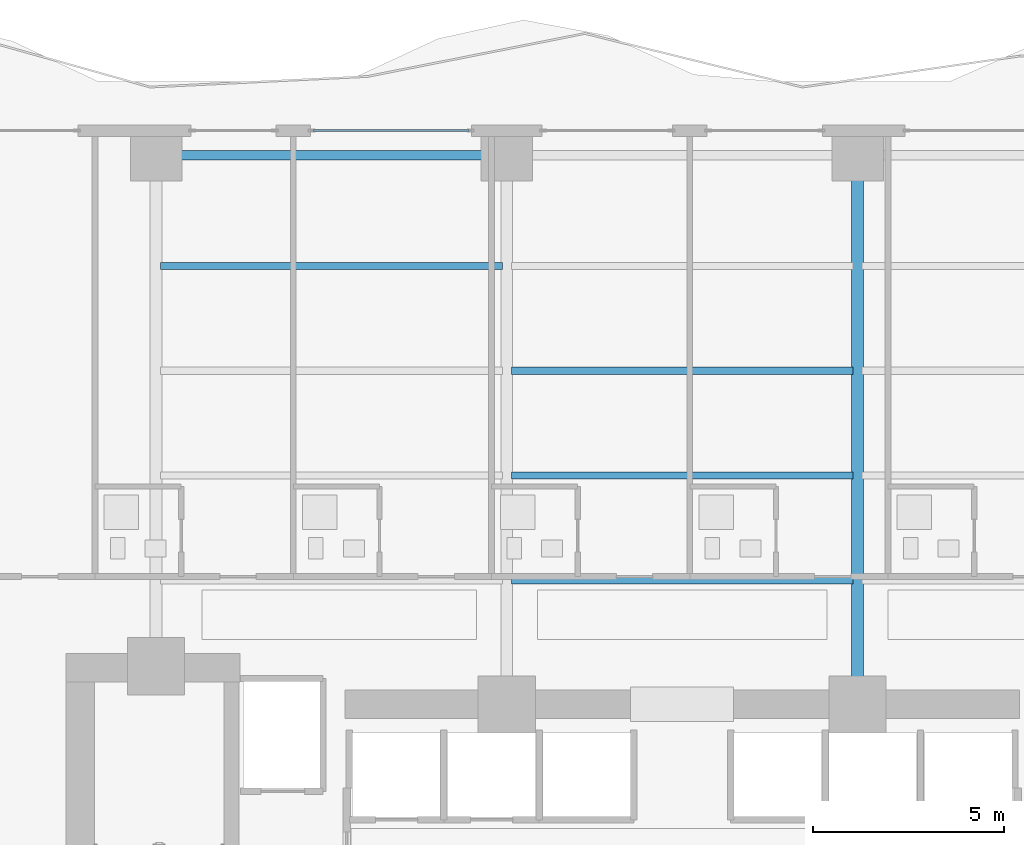
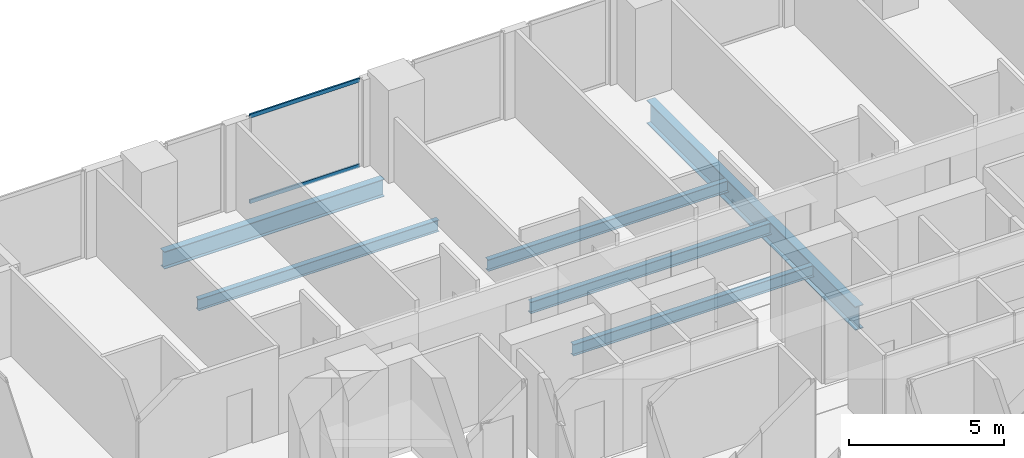
# One storey, part 16 of 29: 6 beams, 2 members, 1 element without a shape of its own.
"""IFC4 building model written with IfcOpenShell, lengths in metres."""

from ifc_helpers import new_model, si_unit, direction, frame, origin, origin_2d, place, context, subcontext, project, spatial, hollow_rectangle, i_section, extrude, material, layer, layer_set, material_profile, profile_set, type_object, element, aggregate, save


model = new_model("IFC4")

# Units and contexts
model_context = context("Model", 3, precision=1e-05, world=origin(), true_north=direction((0.0, 1.0)))
body_context = subcontext(model_context, "Body", "Model", "MODEL_VIEW")
ifc_project = project(units=[si_unit("LENGTHUNIT", "METRE"), si_unit("AREAUNIT", "SQUARE_METRE"), si_unit("VOLUMEUNIT", "CUBIC_METRE"), si_unit("PLANEANGLEUNIT", "RADIAN"), si_unit("MASSUNIT", "GRAM", prefix="KILO")], contexts=[model_context])

# Site, building, storey
site_placement = place(None, origin())
site = spatial("IfcSite", under=ifc_project, at=site_placement, CompositionType="ELEMENT")
building_placement = place(site_placement, origin())
building = spatial("IfcBuilding", under=site, at=building_placement, Name="Zuhayl Quay Hotel", CompositionType="ELEMENT")
storey_placement = place(building_placement, frame((0.0, 0.0, 113.89990234375)))
storey = spatial("IfcBuildingStorey", under=building, at=storey_placement, Name="L28", CompositionType="ELEMENT", Elevation=113.89990234375)

# Beams
ifc_material_1 = material(Name="Steel ASTM A992 Grade 50", Category="steel")
ifc_material_profile_1 = material_profile(ifc_material_1, i_section(OverallWidth=0.25390625, OverallDepth=0.68310546875, WebThickness=0.012451171875, FlangeThickness=0.018798828125, at=origin_2d()), Name="W27X94")
ifc_profile_set_1 = profile_set([ifc_material_profile_1], Name="Steel ASTM A992 Grade 50")
beam_type_1 = type_object("IfcBeamType", Name="BM_B2_W27X94", PredefinedType="BEAM", material=ifc_profile_set_1)
beam_1_placement = place(storey_placement, frame((-5.10009765625, 27.75, -0.5615234375), z_axis=(-1.0, 0.0, 0.0), x_axis=(0.0, -1.0, 0.0)))
element("IfcBeam", 1, at=beam_1_placement, inside=storey, type_object=beam_type_1, Name="L28 Floor Beam RG_L28_09", PredefinedType="BEAM", context=body_context, shape_type="SweptSolid", body=[
    extrude(i_section(OverallWidth=0.25390625, OverallDepth=0.68310546875, WebThickness=0.012451171875, FlangeThickness=0.018798828125, at=origin_2d()), origin(), (0.0, 0.0, 1.0), 8.199951171875),
])
ifc_material_profile_2 = material_profile(ifc_material_1, i_section(OverallWidth=0.18994140625, OverallDepth=0.45703125, WebThickness=0.009033203125, FlangeThickness=0.014404296875, at=origin_2d()), Name="W18X50")
ifc_profile_set_2 = profile_set([ifc_material_profile_2], Name="Steel ASTM A992 Grade 50")
beam_type_2 = type_object("IfcBeamType", Name="BM_J2_W18X50", PredefinedType="JOIST", material=ifc_profile_set_2)
for number, where, z_axis, x_axis, name in (
    (2, (-4.48095703125, 16.60009765625, -0.448486328125), (1.0, 0.0, 0.0), (0.0, 1.0, 0.0), "L28 Floor Beam FJ_L28_1_2"),
    (3, (-4.48095703125, 19.35009765625, -0.448486328125), (1.0, 0.0, 0.0), (0.0, 1.0, 0.0), "L28 Floor Beam FJ_L28_2_2"),
    (4, (-4.48095703125, 22.10009765625, -0.448486328125), (1.0, 0.0, 0.0), (0.0, 1.0, 0.0), "L28 Floor Beam FJ_L28_3_2"),
    (5, (-13.680908203125, 24.85009765625, -0.448486328125), (1.0, 0.0, 0.0), (0.0, 1.0, 0.0), "L28 Floor Beam FJ_L28_4_1"),
):
    element("IfcBeam", number, at=place(storey_placement, frame(where, z_axis=z_axis, x_axis=x_axis)), inside=storey, type_object=beam_type_2, Name=name, PredefinedType="JOIST", context=body_context, shape_type="SweptSolid", body=[
        extrude(i_section(OverallWidth=0.18994140625, OverallDepth=0.45703125, WebThickness=0.009033203125, FlangeThickness=0.014404296875, at=origin_2d()), origin(), (0.0, 0.0, 1.0), 8.9619140625),
    ])
ifc_material_profile_3 = material_profile(ifc_material_1, i_section(OverallWidth=0.306884765625, OverallDepth=0.927001953125, WebThickness=0.019287109375, FlangeThickness=0.031982421875, at=origin_2d()), Name="W36X194")
ifc_profile_set_3 = profile_set([ifc_material_profile_3], Name="Steel ASTM A992 Grade 50")
beam_type_3 = type_object("IfcBeamType", Name="BM_PG2_W36X194", PredefinedType="BEAM", material=ifc_profile_set_3)
beam_2_placement = place(storey_placement, frame((4.60009765625, 13.800048828125, -0.683349609375), z_axis=(0.0, 1.0, 0.0), x_axis=(-1.0, 0.0, 0.0)))
element("IfcBeam", 6, at=beam_2_placement, inside=storey, type_object=beam_type_3, Name="L28 Floor Beam FG_N_L28_3", PredefinedType="BEAM", context=body_context, shape_type="SweptSolid", body=[
    extrude(i_section(OverallWidth=0.306884765625, OverallDepth=0.927001953125, WebThickness=0.019287109375, FlangeThickness=0.031982421875, at=origin_2d()), origin(), (0.0, 0.0, 1.0), 13.449951171875),
])

# Curtain wall, members
ifc_material_2 = material(Name="Anodised Aluminium 6063-T6", Category="aluminium")
ifc_layer = layer(ifc_material_2, 0.179931640625, Name="Anodised Aluminium 6063-T6", Category="aluminium")
ifc_layer_set = layer_set([ifc_layer], Name="Anodised Aluminium 6063-T6")
curtain_wall_type = type_object("IfcCurtainWallType", Name="CW_SYS_Z2", PredefinedType="USERDEFINED", material=ifc_layer_set)
curtain_wall_placement = place(storey_placement, origin())
curtain_wall = element("IfcCurtainWall", 7, at=curtain_wall_placement, inside=storey, type_object=curtain_wall_type, Name="L28 Curtain Wall ENV_L28_N_CW3", ObjectType="UNITISED CURTAIN WALL", PredefinedType="USERDEFINED")
ifc_material_3 = material(Name="Black-anodised aluminium 6063-T6", Category="aluminium")
ifc_material_profile_4 = material_profile(ifc_material_3, hollow_rectangle(XDim=0.06005859375, YDim=0.14990234375, WallThickness=0.00341796875, at=origin_2d()), Name="ALU150X60")
ifc_profile_set_4 = profile_set([ifc_material_profile_4], Name="Black-anodised aluminium 6063-T6")
member_type = type_object("IfcMemberType", Name="MB_CW_TRN_150", PredefinedType="USERDEFINED", material=ifc_profile_set_4)
member_1_placement = place(storey_placement, frame((-9.68505859375, 28.39990234375, 0.030029296875), z_axis=(1.0, 0.0, 0.0), x_axis=(0.0, 1.0, 0.0)))
member_1 = element("IfcMember", 8, at=member_1_placement, type_object=member_type, Name="CW-Z2 transom 1.1", ObjectType="TRANSOM", PredefinedType="USERDEFINED", context=body_context, shape_type="SweptSolid", body=[
    extrude(hollow_rectangle(XDim=0.06005859375, YDim=0.14990234375, WallThickness=0.00341796875, at=origin_2d()), origin(), (0.0, 0.0, 1.0), 4.10009765625),
])
member_2_placement = place(storey_placement, frame((-9.68505859375, 28.39990234375, 3.400146484375), z_axis=(1.0, 0.0, 0.0), x_axis=(0.0, 1.0, 0.0)))
member_2 = element("IfcMember", 9, at=member_2_placement, type_object=member_type, Name="CW-Z2 transom 1.2", ObjectType="TRANSOM", PredefinedType="USERDEFINED", context=body_context, shape_type="SweptSolid", body=[
    extrude(hollow_rectangle(XDim=0.06005859375, YDim=0.14990234375, WallThickness=0.00341796875, at=origin_2d()), origin(), (0.0, 0.0, 1.0), 4.10009765625),
])
aggregate(curtain_wall, [member_1, member_2])

save(model, "model.ifc")
